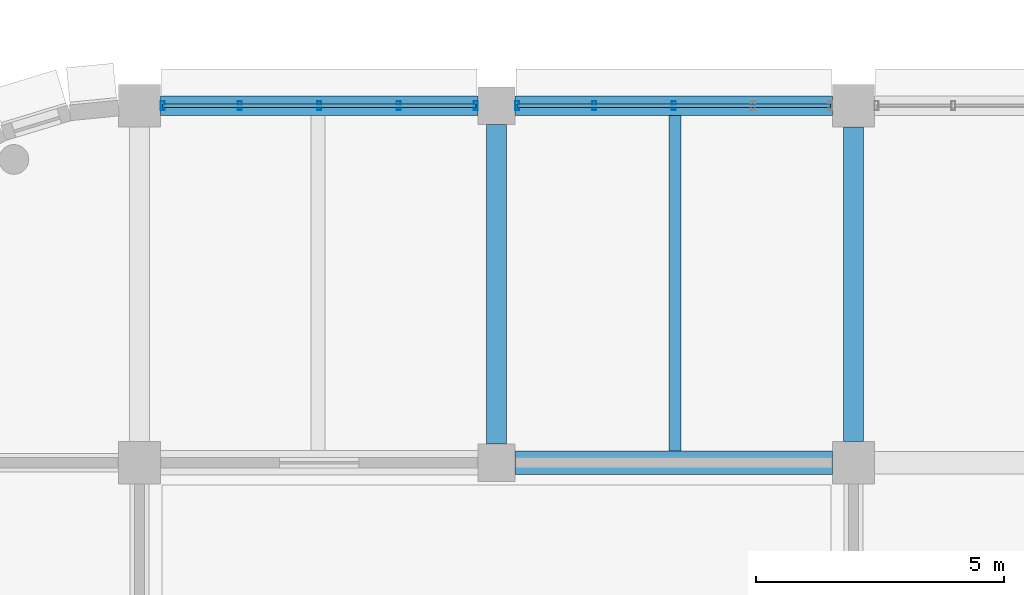
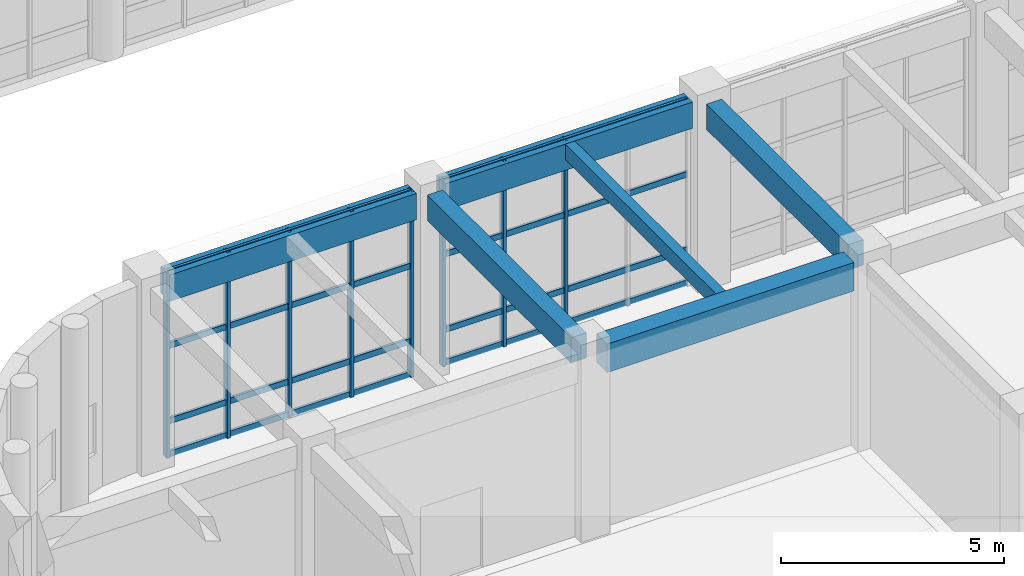
# One storey, part 30 of 160: 16 members, 6 beams, 2 elements without a shape of their own.
"""IFC4 building model written with IfcOpenShell, lengths in metres."""

from ifc_helpers import new_model, si_unit, direction, frame, origin, origin_2d, place, context, subcontext, project, spatial, rectangle, hollow_rectangle, extrude, material, material_profile, profile_set, type_object, element, aggregate, save


model = new_model("IFC4")

# Units and contexts
model_context = context("Model", 3, precision=1e-05, world=origin(), true_north=direction((0.0, 1.0)))
body_context = subcontext(model_context, "Body", "Model", "MODEL_VIEW")
ifc_project = project(units=[si_unit("LENGTHUNIT", "METRE"), si_unit("AREAUNIT", "SQUARE_METRE"), si_unit("VOLUMEUNIT", "CUBIC_METRE"), si_unit("PLANEANGLEUNIT", "RADIAN"), si_unit("MASSUNIT", "GRAM", prefix="KILO")], contexts=[model_context])

# Site, building, storey
site_placement = place(None, origin())
site = spatial("IfcSite", under=ifc_project, at=site_placement, CompositionType="ELEMENT")
building_placement = place(site_placement, origin())
building = spatial("IfcBuilding", under=site, at=building_placement, Name="Thalmaran Polytechnic", CompositionType="ELEMENT")
storey_placement = place(building_placement, origin())
storey = spatial("IfcBuildingStorey", under=building, at=storey_placement, Name="L00", CompositionType="ELEMENT", Elevation=0.0)

# Beams
ifc_material_1 = material(Name="Concrete C40/50", Category="concrete")
ifc_material_profile_1 = material_profile(ifc_material_1, rectangle(XDim=0.39990234375, YDim=0.719970703125, at=origin_2d()), Name="RC 400x720")
ifc_profile_set_1 = profile_set([ifc_material_profile_1], Name="Concrete C40/50")
beam_type_1 = type_object("IfcBeamType", Name="BM-SP01", PredefinedType="SPANDREL", material=ifc_profile_set_1)
for number, where, z_axis, x_axis, name in (
    (1, (65.22509765625, 36.0, 4.72998046875), (1.0, 0.0, 0.0), (0.0, 1.0, 0.0), "Grid Beam SP01 L00 X(9,5)"),
    (2, (72.375, 36.0, 4.72998046875), (1.0, 0.0, 0.0), (0.0, 1.0, 0.0), "Grid Beam SP01 L00 X(10,5)"),
):
    element("IfcBeam", number, at=place(storey_placement, frame(where, z_axis=z_axis, x_axis=x_axis)), inside=storey, type_object=beam_type_1, Name=name, PredefinedType="SPANDREL", context=body_context, shape_type="SweptSolid", body=[
        extrude(rectangle(XDim=0.39990234375, YDim=0.719970703125, at=origin_2d()), origin(), (0.0, 0.0, 1.0), 6.39990234375),
    ])
ifc_material_profile_2 = material_profile(ifc_material_1, rectangle(XDim=0.47998046875, YDim=0.780029296875, at=origin_2d()), Name="RC 480x780")
ifc_profile_set_2 = profile_set([ifc_material_profile_2], Name="Concrete C40/50")
beam_type_2 = type_object("IfcBeamType", Name="BM-ZB01", PredefinedType="BEAM", material=ifc_profile_set_2)
beam_1_placement = place(storey_placement, frame((72.375, 28.800048828125, 4.699951171875), z_axis=(1.0, 0.0, 0.0), x_axis=(0.0, 1.0, 0.0)))
element("IfcBeam", 3, at=beam_1_placement, inside=storey, type_object=beam_type_2, Name="Grid Beam ZB01 L00 X(10,4)", PredefinedType="BEAM", context=body_context, shape_type="SweptSolid", body=[
    extrude(rectangle(XDim=0.47998046875, YDim=0.780029296875, at=origin_2d()), origin(), (0.0, 0.0, 1.0), 6.39990234375),
])
ifc_material_profile_3 = material_profile(ifc_material_1, rectangle(XDim=0.39990234375, YDim=0.695068359375, at=origin_2d()), Name="RC 400x695")
ifc_profile_set_3 = profile_set([ifc_material_profile_3], Name="Concrete C40/50")
beam_type_3 = type_object("IfcBeamType", Name="BM-ZB08", PredefinedType="BEAM", material=ifc_profile_set_3)
beam_2_placement = place(storey_placement, frame((72.0, 29.175048828125, 4.742431640625), z_axis=(0.0, 1.0, 0.0), x_axis=(-1.0, 0.0, 0.0)))
element("IfcBeam", 4, at=beam_2_placement, inside=storey, type_object=beam_type_3, Name="Grid Beam ZB08 L00 Y(10,4)", PredefinedType="BEAM", context=body_context, shape_type="SweptSolid", body=[
    extrude(rectangle(XDim=0.39990234375, YDim=0.695068359375, at=origin_2d()), origin(), (0.0, 0.0, 1.0), 6.449951171875),
])
beam_3_placement = place(storey_placement, frame((79.199951171875, 29.22509765625, 4.742431640625), z_axis=(0.0, 1.0, 0.0), x_axis=(-1.0, 0.0, 0.0)))
element("IfcBeam", 5, at=beam_3_placement, inside=storey, type_object=beam_type_3, Name="Grid Beam ZB08 L00 Y(11,4)", PredefinedType="BEAM", context=body_context, shape_type="SweptSolid", body=[
    extrude(rectangle(XDim=0.39990234375, YDim=0.695068359375, at=origin_2d()), origin(), (0.0, 0.0, 1.0), 6.349853515625),
])
ifc_material_profile_4 = material_profile(ifc_material_1, rectangle(XDim=0.25, YDim=0.419921875, at=origin_2d()), Name="RC 250x420")
ifc_profile_set_4 = profile_set([ifc_material_profile_4], Name="Concrete C40/50")
beam_type_4 = type_object("IfcBeamType", Name="BM-ZJ03", PredefinedType="JOIST", material=ifc_profile_set_4)
beam_4_placement = place(storey_placement, frame((75.60009765625, 29.0400390625, 4.8798828125), z_axis=(0.0, 1.0, 0.0), x_axis=(-1.0, 0.0, 0.0)))
element("IfcBeam", 6, at=beam_4_placement, inside=storey, type_object=beam_type_4, Name="Secondary Floor Rib ZJ03 L00 (10,4)", PredefinedType="JOIST", context=body_context, shape_type="SweptSolid", body=[
    extrude(rectangle(XDim=0.25, YDim=0.419921875, at=origin_2d()), origin(), (0.0, 0.0, 1.0), 6.760009765625),
])

# Curtain wall, members
ifc_material_2 = material(Name="Aluminium 6063-T6", Category="aluminium")
curtain_wall_type = type_object("IfcCurtainWallType", Name="CW-UC01", PredefinedType="USERDEFINED", material=ifc_material_2)
curtain_wall_1_placement = place(storey_placement, origin())
curtain_wall_1 = element("IfcCurtainWall", 7, at=curtain_wall_1_placement, inside=storey, type_object=curtain_wall_type, Name="Curtain Wall CW-L00-055", ObjectType="UNITISED CURTAIN WALL", PredefinedType="USERDEFINED")
ifc_material_profile_5 = material_profile(ifc_material_2, hollow_rectangle(XDim=0.080078125, YDim=0.179931640625, WallThickness=0.0048828125, at=origin_2d()), Name="RHS 180x80x5.0")
ifc_profile_set_5 = profile_set([ifc_material_profile_5], Name="Aluminium 6063-T6")
member_type_1 = type_object("IfcMemberType", Name="CW-MUL1", PredefinedType="MULLION", material=ifc_profile_set_5)
member_1_placement = place(storey_placement, frame((65.264892578125, 36.0, 0.0), z_axis=(0.0, 0.0, 1.0), x_axis=(1.0, 0.0, 0.0)))
member_1 = element("IfcMember", 8, at=member_1_placement, type_object=member_type_1, Name="CW-L00-055 Mullion 1", PredefinedType="MULLION", context=body_context, shape_type="SweptSolid", body=[
    extrude(hollow_rectangle(XDim=0.080078125, YDim=0.179931640625, WallThickness=0.0048828125, at=origin_2d()), origin(), (0.0, 0.0, 1.0), 5.090087890625),
])
member_2_placement = place(storey_placement, frame((66.824951171875, 36.0, 0.0), z_axis=(0.0, 0.0, 1.0), x_axis=(1.0, 0.0, 0.0)))
member_2 = element("IfcMember", 9, at=member_2_placement, type_object=member_type_1, Name="CW-L00-055 Mullion 2", PredefinedType="MULLION", context=body_context, shape_type="SweptSolid", body=[
    extrude(hollow_rectangle(XDim=0.080078125, YDim=0.179931640625, WallThickness=0.0048828125, at=origin_2d()), origin(), (0.0, 0.0, 1.0), 5.090087890625),
])
member_3_placement = place(storey_placement, frame((68.425048828125, 36.0, 0.0), z_axis=(0.0, 0.0, 1.0), x_axis=(1.0, 0.0, 0.0)))
member_3 = element("IfcMember", 10, at=member_3_placement, type_object=member_type_1, Name="CW-L00-055 Mullion 3", PredefinedType="MULLION", context=body_context, shape_type="SweptSolid", body=[
    extrude(hollow_rectangle(XDim=0.080078125, YDim=0.179931640625, WallThickness=0.0048828125, at=origin_2d()), origin(), (0.0, 0.0, 1.0), 5.090087890625),
])
member_4_placement = place(storey_placement, frame((70.02490234375, 36.0, 0.0), z_axis=(0.0, 0.0, 1.0), x_axis=(1.0, 0.0, 0.0)))
member_4 = element("IfcMember", 11, at=member_4_placement, type_object=member_type_1, Name="CW-L00-055 Mullion 4", PredefinedType="MULLION", context=body_context, shape_type="SweptSolid", body=[
    extrude(hollow_rectangle(XDim=0.080078125, YDim=0.179931640625, WallThickness=0.0048828125, at=origin_2d()), origin(), (0.0, 0.0, 1.0), 5.090087890625),
])
member_5_placement = place(storey_placement, frame((71.5849609375, 36.0, 0.0), z_axis=(0.0, 0.0, 1.0), x_axis=(1.0, 0.0, 0.0)))
member_5 = element("IfcMember", 12, at=member_5_placement, type_object=member_type_1, Name="CW-L00-055 Mullion 5", PredefinedType="MULLION", context=body_context, shape_type="SweptSolid", body=[
    extrude(hollow_rectangle(XDim=0.080078125, YDim=0.179931640625, WallThickness=0.0048828125, at=origin_2d()), origin(), (0.0, 0.0, 1.0), 5.090087890625),
])

curtain_wall_2_placement = place(storey_placement, origin())
curtain_wall_2 = element("IfcCurtainWall", 13, at=curtain_wall_2_placement, inside=storey, type_object=curtain_wall_type, Name="Curtain Wall CW-L00-056", ObjectType="UNITISED CURTAIN WALL", PredefinedType="USERDEFINED")
member_6_placement = place(storey_placement, frame((72.4150390625, 36.0, 0.0), z_axis=(0.0, 0.0, 1.0), x_axis=(1.0, 0.0, 0.0)))
member_6 = element("IfcMember", 14, at=member_6_placement, type_object=member_type_1, Name="CW-L00-056 Mullion 1", PredefinedType="MULLION", context=body_context, shape_type="SweptSolid", body=[
    extrude(hollow_rectangle(XDim=0.080078125, YDim=0.179931640625, WallThickness=0.0048828125, at=origin_2d()), origin(), (0.0, 0.0, 1.0), 5.090087890625),
])
member_7_placement = place(storey_placement, frame((73.97509765625, 36.0, 0.0), z_axis=(0.0, 0.0, 1.0), x_axis=(1.0, 0.0, 0.0)))
member_7 = element("IfcMember", 15, at=member_7_placement, type_object=member_type_1, Name="CW-L00-056 Mullion 2", PredefinedType="MULLION", context=body_context, shape_type="SweptSolid", body=[
    extrude(hollow_rectangle(XDim=0.080078125, YDim=0.179931640625, WallThickness=0.0048828125, at=origin_2d()), origin(), (0.0, 0.0, 1.0), 5.090087890625),
])
member_8_placement = place(storey_placement, frame((75.574951171875, 36.0, 0.0), z_axis=(0.0, 0.0, 1.0), x_axis=(1.0, 0.0, 0.0)))
member_8 = element("IfcMember", 16, at=member_8_placement, type_object=member_type_1, Name="CW-L00-056 Mullion 3", PredefinedType="MULLION", context=body_context, shape_type="SweptSolid", body=[
    extrude(hollow_rectangle(XDim=0.080078125, YDim=0.179931640625, WallThickness=0.0048828125, at=origin_2d()), origin(), (0.0, 0.0, 1.0), 5.090087890625),
])

# Member
ifc_material_profile_6 = material_profile(ifc_material_2, hollow_rectangle(XDim=0.070068359375, YDim=0.159912109375, WallThickness=0.00390625, at=origin_2d()), Name="AL 160x70x4.0")
ifc_profile_set_6 = profile_set([ifc_material_profile_6], Name="Aluminium 6063-T6")
member_type_2 = type_object("IfcMemberType", Name="CW-TRN1", PredefinedType="USERDEFINED", material=ifc_profile_set_6)
member_9_placement = place(storey_placement, frame((65.264892578125, 36.0, 0.06005859375), z_axis=(1.0, 0.0, 0.0), x_axis=(0.0, 1.0, 0.0)))
member_9 = element("IfcMember", 17, at=member_9_placement, type_object=member_type_2, Name="CW-L00-055 Transom 1", ObjectType="TRANSOM", PredefinedType="USERDEFINED", context=body_context, shape_type="SweptSolid", body=[
    extrude(hollow_rectangle(XDim=0.070068359375, YDim=0.159912109375, WallThickness=0.00390625, at=origin_2d()), origin(), (0.0, 0.0, 1.0), 6.320068359375),
])

member_10_placement = place(storey_placement, frame((65.264892578125, 36.0, 0.9599609375), z_axis=(1.0, 0.0, 0.0), x_axis=(0.0, 1.0, 0.0)))
member_10 = element("IfcMember", 18, at=member_10_placement, type_object=member_type_2, Name="CW-L00-055 Transom 2", ObjectType="TRANSOM", PredefinedType="USERDEFINED", context=body_context, shape_type="SweptSolid", body=[
    extrude(hollow_rectangle(XDim=0.070068359375, YDim=0.159912109375, WallThickness=0.00390625, at=origin_2d()), origin(), (0.0, 0.0, 1.0), 6.320068359375),
])

member_11_placement = place(storey_placement, frame((65.264892578125, 36.0, 3.02490234375), z_axis=(1.0, 0.0, 0.0), x_axis=(0.0, 1.0, 0.0)))
member_11 = element("IfcMember", 19, at=member_11_placement, type_object=member_type_2, Name="CW-L00-055 Transom 3", ObjectType="TRANSOM", PredefinedType="USERDEFINED", context=body_context, shape_type="SweptSolid", body=[
    extrude(hollow_rectangle(XDim=0.070068359375, YDim=0.159912109375, WallThickness=0.00390625, at=origin_2d()), origin(), (0.0, 0.0, 1.0), 6.320068359375),
])

member_12_placement = place(storey_placement, frame((65.264892578125, 36.0, 5.030029296875), z_axis=(1.0, 0.0, 0.0), x_axis=(0.0, 1.0, 0.0)))
member_12 = element("IfcMember", 20, at=member_12_placement, type_object=member_type_2, Name="CW-L00-055 Transom 4", ObjectType="TRANSOM", PredefinedType="USERDEFINED", context=body_context, shape_type="SweptSolid", body=[
    extrude(hollow_rectangle(XDim=0.070068359375, YDim=0.159912109375, WallThickness=0.00390625, at=origin_2d()), origin(), (0.0, 0.0, 1.0), 6.320068359375),
])

aggregate(curtain_wall_1, [member_1, member_2, member_3, member_4, member_5, member_9, member_10, member_11, member_12])

member_13_placement = place(storey_placement, frame((72.4150390625, 36.0, 0.06005859375), z_axis=(1.0, 0.0, 0.0), x_axis=(0.0, 1.0, 0.0)))
member_13 = element("IfcMember", 21, at=member_13_placement, type_object=member_type_2, Name="CW-L00-056 Transom 1", ObjectType="TRANSOM", PredefinedType="USERDEFINED", context=body_context, shape_type="SweptSolid", body=[
    extrude(hollow_rectangle(XDim=0.070068359375, YDim=0.159912109375, WallThickness=0.00390625, at=origin_2d()), origin(), (0.0, 0.0, 1.0), 6.320068359375),
])

member_14_placement = place(storey_placement, frame((72.4150390625, 36.0, 0.9599609375), z_axis=(1.0, 0.0, 0.0), x_axis=(0.0, 1.0, 0.0)))
member_14 = element("IfcMember", 22, at=member_14_placement, type_object=member_type_2, Name="CW-L00-056 Transom 2", ObjectType="TRANSOM", PredefinedType="USERDEFINED", context=body_context, shape_type="SweptSolid", body=[
    extrude(hollow_rectangle(XDim=0.070068359375, YDim=0.159912109375, WallThickness=0.00390625, at=origin_2d()), origin(), (0.0, 0.0, 1.0), 6.320068359375),
])

member_15_placement = place(storey_placement, frame((72.4150390625, 36.0, 3.02490234375), z_axis=(1.0, 0.0, 0.0), x_axis=(0.0, 1.0, 0.0)))
member_15 = element("IfcMember", 23, at=member_15_placement, type_object=member_type_2, Name="CW-L00-056 Transom 3", ObjectType="TRANSOM", PredefinedType="USERDEFINED", context=body_context, shape_type="SweptSolid", body=[
    extrude(hollow_rectangle(XDim=0.070068359375, YDim=0.159912109375, WallThickness=0.00390625, at=origin_2d()), origin(), (0.0, 0.0, 1.0), 6.320068359375),
])

member_16_placement = place(storey_placement, frame((72.4150390625, 36.0, 5.030029296875), z_axis=(1.0, 0.0, 0.0), x_axis=(0.0, 1.0, 0.0)))
member_16 = element("IfcMember", 24, at=member_16_placement, type_object=member_type_2, Name="CW-L00-056 Transom 4", ObjectType="TRANSOM", PredefinedType="USERDEFINED", context=body_context, shape_type="SweptSolid", body=[
    extrude(hollow_rectangle(XDim=0.070068359375, YDim=0.159912109375, WallThickness=0.00390625, at=origin_2d()), origin(), (0.0, 0.0, 1.0), 6.320068359375),
])

aggregate(curtain_wall_2, [member_6, member_7, member_8, member_13, member_14, member_15, member_16])

save(model, "model.ifc")
